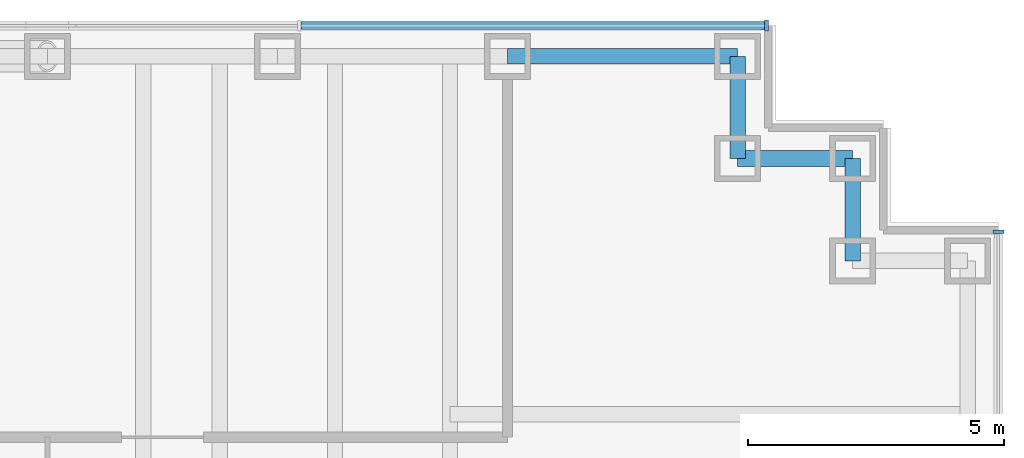
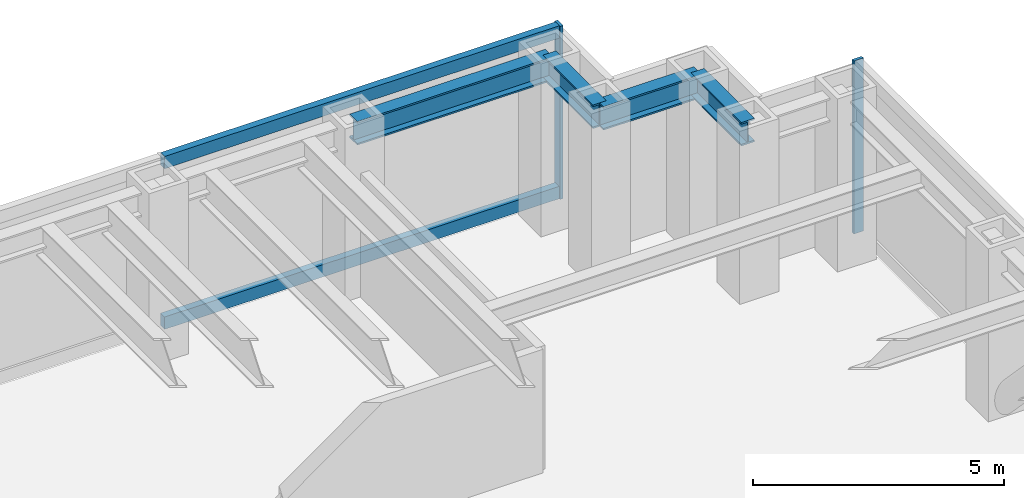
# One storey, part 9 of 15: 4 beams, 4 members, 2 elements without a shape of their own.
"""IFC4 building model written with IfcOpenShell, lengths in metres."""

import ifcopenshell
import ifcopenshell.guid

model = None  # the IFC model being written
_history = None  # IfcOwnerHistory: only IFC2X3 demands one
_inside = {}  # id of a spatial element -> (the spatial element, [elements in it])
_under = {}  # id of a project, library or spatial element -> (it, [spatial elements below it])
_declared = {}  # id of a project -> (the project, [libraries it declares])
_typed = {}  # id of a type object -> (the type object, [elements of that type])
_made_of = {}  # id of a material, layer set ... -> (it, [elements and type objects made of it])


def new_model(schema):
    """Start an empty IFC model of exactly this schema.

    Asked for "IFC4X3", IfcOpenShell would pick the latest addendum, in which some entities
    have other attributes; the version numbers below select the first issue.
    IFC2X3 requires an IfcOwnerHistory on every rooted entity: one is made here for all.
    """
    global model, _history
    if schema == "IFC4X3":
        model = ifcopenshell.file(schema_version=(4, 3, 0, 0))
    else:
        model = ifcopenshell.file(schema=schema)
    _inside.clear()
    _under.clear()
    _declared.clear()
    _typed.clear()
    _made_of.clear()
    _history = None
    if model.schema == "IFC2X3":
        org = make("IfcOrganization", Name="unknown")
        user = make(
            "IfcPersonAndOrganization",
            ThePerson=make("IfcPerson", FamilyName="unknown"),
            TheOrganization=org,
        )
        app = make(
            "IfcApplication",
            ApplicationDeveloper=org,
            Version="unknown",
            ApplicationFullName="unknown",
            ApplicationIdentifier="unknown",
        )
        _history = make(
            "IfcOwnerHistory",
            OwningUser=user,
            OwningApplication=app,
            ChangeAction="ADDED",
            CreationDate=0,
        )
    return model


def make(cls, **values):
    """One entity of the class cls with the attributes given. An attribute that is None is left unset."""
    return model.create_entity(
        cls, **{name: value for name, value in values.items() if value is not None}
    )


def rooted(cls, **values):
    """An entity with a GlobalId (a new one), such as an element, a storey or a relation."""
    return make(cls, GlobalId=ifcopenshell.guid.new(), OwnerHistory=_history, **values)


def si_unit(unit_type, name, prefix=None):
    """IfcSIUnit, for example si_unit("LENGTHUNIT", "METRE", prefix="MILLI")."""
    return make("IfcSIUnit", UnitType=unit_type, Prefix=prefix, Name=name)


def assignment(units):
    """IfcUnitAssignment: the units of a project."""
    return None if units is None else make("IfcUnitAssignment", Units=units)


def point(xyz):
    """IfcCartesianPoint."""
    return None if xyz is None else make("IfcCartesianPoint", Coordinates=xyz)


def direction(xyz):
    """IfcDirection."""
    return None if xyz is None else make("IfcDirection", DirectionRatios=xyz)


def frame(location, z_axis=None, x_axis=None):
    """IfcAxis2Placement3D, a coordinate frame: its origin and axes. An axis left out is left unset."""
    return make(
        "IfcAxis2Placement3D",
        Location=point(location),
        Axis=direction(z_axis),
        RefDirection=direction(x_axis),
    )


def frame_2d(location, x_axis=None):
    """IfcAxis2Placement2D, a coordinate frame in the plane: its origin and x axis."""
    return make(
        "IfcAxis2Placement2D", Location=point(location), RefDirection=direction(x_axis)
    )


def origin():
    """The frame at (0, 0, 0) with its axes left unset."""
    return frame((0.0, 0.0, 0.0))


def origin_2d():
    """The frame at (0, 0) in the plane with its x axis left unset."""
    return frame_2d((0.0, 0.0))


def place(relative_to, where):
    """IfcLocalPlacement: puts the frame where relative to a parent placement (None: the world)."""
    return make(
        "IfcLocalPlacement", PlacementRelTo=relative_to, RelativePlacement=where
    )


def context(
    kind, dimensions, precision=None, world=None, true_north=None, identifier=None
):
    """IfcGeometricRepresentationContext, for example the 3D "Model" context."""
    return make(
        "IfcGeometricRepresentationContext",
        ContextIdentifier=identifier,
        ContextType=kind,
        CoordinateSpaceDimension=dimensions,
        Precision=precision,
        WorldCoordinateSystem=world,
        TrueNorth=true_north,
    )


def subcontext(parent, identifier, kind, view, scale=None):
    """IfcGeometricRepresentationSubContext, for example "Body" below "Model"."""
    return make(
        "IfcGeometricRepresentationSubContext",
        ContextIdentifier=identifier,
        ContextType=kind,
        ParentContext=parent,
        TargetScale=scale,
        TargetView=view,
    )


def project(units=None, contexts=None):
    """IfcProject with its units and contexts."""
    return rooted(
        "IfcProject",
        Name="project",
        RepresentationContexts=contexts,
        UnitsInContext=assignment(units),
    )


def spatial(cls, under=None, at=None, **own):
    """A site, building, storey or space (cls), placed at a placement, below another one or the project."""
    s = rooted(cls, ObjectPlacement=at, **own)
    if under is not None:
        _under.setdefault(under.id(), (under, []))[1].append(s)
    return s


def profile(cls, at=None, kind="AREA", **sizes):
    """A parametric profile (cls). Its sizes go by their IFC names, for example OverallWidth=200.0."""
    return make(cls, ProfileType=kind, Position=at, **sizes)


def rectangle(**sizes):
    """IfcRectangleProfileDef."""
    return profile("IfcRectangleProfileDef", **sizes)


def i_section(**sizes):
    """IfcIShapeProfileDef."""
    return profile("IfcIShapeProfileDef", **sizes)


def extrude(swept, where, along, depth):
    """IfcExtrudedAreaSolid: the profile swept, set in the frame where, extruded along a direction by depth."""
    return make(
        "IfcExtrudedAreaSolid",
        SweptArea=swept,
        Position=where,
        ExtrudedDirection=direction(along),
        Depth=depth,
    )


def shape(context_of_items, identifier, shape_type, items):
    """IfcShapeRepresentation: the items that make up one representation, for example the "Body"."""
    return make(
        "IfcShapeRepresentation",
        ContextOfItems=context_of_items,
        RepresentationIdentifier=identifier,
        RepresentationType=shape_type,
        Items=items,
    )


def material(Name=None, Category=None):
    """IfcMaterial."""
    return make("IfcMaterial", Name=Name, Category=Category)


def material_profile(
    of_material, cross_section, Name=None, Category=None, Priority=None
):
    """IfcMaterialProfile: a cross section and its material."""
    return make(
        "IfcMaterialProfile",
        Name=Name,
        Material=of_material,
        Profile=cross_section,
        Priority=Priority,
        Category=Category,
    )


def profile_set(profiles, Name=None, composite=None):
    """IfcMaterialProfileSet."""
    return make(
        "IfcMaterialProfileSet",
        Name=Name,
        MaterialProfiles=profiles,
        CompositeProfile=composite,
    )


def made_of(thing, what):
    """Note that an element or type object is made of a material, layer set ...; save() writes the relation."""
    if what is not None:
        _made_of.setdefault(what.id(), (what, []))[1].append(thing)
    return thing


def type_object(cls, material=None, **own):
    """A type object (cls), such as IfcWallType, which elements share."""
    return made_of(rooted(cls, **own), material)


def element(
    cls,
    number,
    at=None,
    inside=None,
    cuts=None,
    type_object=None,
    material=None,
    context=None,
    identifier="Body",
    shape_type=None,
    held_by="IfcProductDefinitionShape",
    body=None,
    shapes=None,
    **own,
):
    """One element of the class cls, such as IfcWall. Its Tag is "e" and its number.

    at: its placement. inside: the storey or other place that contains it. cuts: it is an
    opening in that element (IfcRelVoidsElement). A single representation is given by context,
    identifier, shape_type and body (its items); several are given by shapes. held_by: the class
    of the entity that holds the representations. save() writes the other relations.
    """
    e = rooted(cls, Tag="e%d" % number, ObjectPlacement=at, **own)
    if body is not None:
        shapes = [shape(context, identifier, shape_type, body)]
    if shapes is not None:
        e.Representation = make(held_by, Representations=shapes)
    if inside is not None:
        _inside.setdefault(inside.id(), (inside, []))[1].append(e)
    if cuts is not None:
        rooted(
            "IfcRelVoidsElement", RelatingBuildingElement=cuts, RelatedOpeningElement=e
        )
    if type_object is not None:
        _typed.setdefault(type_object.id(), (type_object, []))[1].append(e)
    return made_of(e, material)


def aggregate(whole, parts):
    """IfcRelAggregates: a whole, such as a stair, and the parts it consists of."""
    return rooted("IfcRelAggregates", RelatingObject=whole, RelatedObjects=parts)


def save(model, path):
    """Write the relations noted so far, then the file.

    IfcRelAggregates (storeys below a building ...), IfcRelContainedInSpatialStructure (elements
    in a storey), IfcRelDefinesByType, IfcRelAssociatesMaterial and IfcRelDeclares: one each for
    every whole, place, type object, material and project.
    """
    for whole, parts in _under.values():
        aggregate(whole, parts)
    for where, things in _inside.values():
        rooted(
            "IfcRelContainedInSpatialStructure",
            RelatedElements=things,
            RelatingStructure=where,
        )
    for kind, things in _typed.values():
        rooted("IfcRelDefinesByType", RelatedObjects=things, RelatingType=kind)
    for what, things in _made_of.values():
        rooted("IfcRelAssociatesMaterial", RelatedObjects=things, RelatingMaterial=what)
    for by, libraries in _declared.values():
        rooted("IfcRelDeclares", RelatingContext=by, RelatedDefinitions=libraries)
    model.write(path)


model = new_model("IFC4")

# Units and contexts
model_context = context("Model", 3, precision=1e-05, world=origin(), true_north=direction((0.0, 1.0)))
body_context = subcontext(model_context, "Body", "Model", "MODEL_VIEW")
ifc_project = project(units=[si_unit("LENGTHUNIT", "METRE"), si_unit("AREAUNIT", "SQUARE_METRE"), si_unit("VOLUMEUNIT", "CUBIC_METRE"), si_unit("PLANEANGLEUNIT", "RADIAN"), si_unit("MASSUNIT", "GRAM", prefix="KILO")], contexts=[model_context])

# Site, building, storey
site_placement = place(None, origin())
site = spatial("IfcSite", under=ifc_project, at=site_placement, CompositionType="ELEMENT")
building_placement = place(site_placement, origin())
building = spatial("IfcBuilding", under=site, at=building_placement, Name="Rheinbord Bourse Tower", CompositionType="ELEMENT")
storey_placement = place(building_placement, frame((0.0, 0.0, 108.89990234375)))
storey = spatial("IfcBuildingStorey", under=building, at=storey_placement, Name="L23", CompositionType="ELEMENT", Elevation=108.89990234375)

# Curtain wall, member
ifc_material_1 = material(Name="Dark glass and black aluminium", Category="aluminium")
curtain_wall_type = type_object("IfcCurtainWallType", Name="CW2 DARK GLASS CURTAIN WALL", PredefinedType="USERDEFINED", material=ifc_material_1)
curtain_wall_1_placement = place(storey_placement, origin())
curtain_wall_1 = element("IfcCurtainWall", 1, at=curtain_wall_1_placement, inside=storey, type_object=curtain_wall_type, Name="Curtain wall CW2 E L23", ObjectType="UNITISED CURTAIN WALL", PredefinedType="USERDEFINED")
ifc_material_2 = material(Name="Black anodised aluminium", Category="aluminium")
ifc_material_profile_1 = material_profile(ifc_material_2, rectangle(XDim=0.219970703125, YDim=0.070068359375, at=origin_2d()), Name="CW2 MULLION 70x220")
ifc_profile_set_1 = profile_set([ifc_material_profile_1], Name="Black anodised aluminium")
member_type_1 = type_object("IfcMemberType", Name="CW2 BLACK MULLION", PredefinedType="MULLION", material=ifc_profile_set_1)
member_1_placement = place(storey_placement, frame((72.60009765625, 42.56494140625, 0.0), z_axis=(0.0, 0.0, 1.0), x_axis=(-1.0, 0.0, 0.0)))
member_1 = element("IfcMember", 2, at=member_1_placement, type_object=member_type_1, Name="CW2 mullion 6", PredefinedType="MULLION", context=body_context, shape_type="SweptSolid", body=[
    extrude(rectangle(XDim=0.219970703125, YDim=0.070068359375, at=origin_2d()), origin(), (0.0, 0.0, 1.0), 4.2001953125),
])
aggregate(curtain_wall_1, [member_1])

# Curtain wall, members
curtain_wall_2_placement = place(storey_placement, origin())
curtain_wall_2 = element("IfcCurtainWall", 3, at=curtain_wall_2_placement, inside=storey, type_object=curtain_wall_type, Name="Curtain wall CW2 N L23", ObjectType="UNITISED CURTAIN WALL", PredefinedType="USERDEFINED")
member_2_placement = place(storey_placement, frame((68.06494140625, 46.60009765625, 0.0), z_axis=(0.0, 0.0, 1.0), x_axis=(0.0, -1.0, 0.0)))
member_2 = element("IfcMember", 4, at=member_2_placement, type_object=member_type_1, Name="CW2 mullion 1", PredefinedType="MULLION", context=body_context, shape_type="SweptSolid", body=[
    extrude(rectangle(XDim=0.219970703125, YDim=0.070068359375, at=origin_2d()), origin(), (0.0, 0.0, 1.0), 4.2001953125),
])
ifc_material_3 = material(Name="Black anodised aluminium", Category="aluminium")
ifc_material_profile_2 = material_profile(ifc_material_3, rectangle(XDim=0.159912109375, YDim=0.300048828125, at=origin_2d()), Name="CW2 TRANSOM 300x160")
ifc_profile_set_2 = profile_set([ifc_material_profile_2], Name="Black anodised aluminium")
member_type_2 = type_object("IfcMemberType", Name="CW2 BLACK TRANSOM", PredefinedType="USERDEFINED", material=ifc_profile_set_2)
member_3_placement = place(storey_placement, frame((68.030029296875, 46.60009765625, 0.150146484375), z_axis=(-1.0, 0.0, 0.0), x_axis=(0.0, -1.0, 0.0)))
member_3 = element("IfcMember", 5, at=member_3_placement, type_object=member_type_2, Name="CW2 transom 1.1", ObjectType="TRANSOM", PredefinedType="USERDEFINED", context=body_context, shape_type="SweptSolid", body=[
    extrude(rectangle(XDim=0.159912109375, YDim=0.300048828125, at=origin_2d()), origin(), (0.0, 0.0, 1.0), 9.06640625),
])
member_4_placement = place(storey_placement, frame((68.030029296875, 46.60009765625, 4.050048828125), z_axis=(-1.0, 0.0, 0.0), x_axis=(0.0, -1.0, 0.0)))
member_4 = element("IfcMember", 6, at=member_4_placement, type_object=member_type_2, Name="CW2 transom 1.2", ObjectType="TRANSOM", PredefinedType="USERDEFINED", context=body_context, shape_type="SweptSolid", body=[
    extrude(rectangle(XDim=0.159912109375, YDim=0.300048828125, at=origin_2d()), origin(), (0.0, 0.0, 1.0), 9.06640625),
])
aggregate(curtain_wall_2, [member_2, member_3, member_4])

# Beams
ifc_material_4 = material(Name="Steel S460", Category="steel")
ifc_material_profile_3 = material_profile(ifc_material_4, i_section(OverallWidth=0.305908203125, OverallDepth=0.572021484375, WebThickness=0.02099609375, FlangeThickness=0.0400390625, at=origin_2d()), Name="HEM 550")
ifc_profile_set_3 = profile_set([ifc_material_profile_3], Name="Steel S460")
beam_type = type_object("IfcBeamType", Name="SPANDREL HEM 550", PredefinedType="SPANDREL", material=ifc_profile_set_3)
beam_1_placement = place(storey_placement, frame((69.75, 42.0, 3.754150390625), z_axis=(0.0, 1.0, 0.0), x_axis=(-1.0, 0.0, 0.0)))
element("IfcBeam", 7, at=beam_1_placement, inside=storey, type_object=beam_type, Name="Spandrel NE-B-NE-C under L24", PredefinedType="SPANDREL", context=body_context, shape_type="SweptSolid", body=[
    extrude(i_section(OverallWidth=0.305908203125, OverallDepth=0.572021484375, WebThickness=0.02099609375, FlangeThickness=0.0400390625, at=origin_2d()), origin(), (0.0, 0.0, 1.0), 2.0),
])
beam_2_placement = place(storey_placement, frame((69.75, 44.0, 3.754150390625), z_axis=(-1.0, 0.0, 0.0), x_axis=(0.0, -1.0, 0.0)))
element("IfcBeam", 8, at=beam_2_placement, inside=storey, type_object=beam_type, Name="Spandrel NE-C-NE-D under L24", PredefinedType="SPANDREL", context=body_context, shape_type="SweptSolid", body=[
    extrude(i_section(OverallWidth=0.305908203125, OverallDepth=0.572021484375, WebThickness=0.02099609375, FlangeThickness=0.0400390625, at=origin_2d()), origin(), (0.0, 0.0, 1.0), 2.25),
])
beam_3_placement = place(storey_placement, frame((67.5, 44.0, 3.754150390625), z_axis=(0.0, 1.0, 0.0), x_axis=(-1.0, 0.0, 0.0)))
element("IfcBeam", 9, at=beam_3_placement, inside=storey, type_object=beam_type, Name="Spandrel NE-D-NE-E under L24", PredefinedType="SPANDREL", context=body_context, shape_type="SweptSolid", body=[
    extrude(i_section(OverallWidth=0.305908203125, OverallDepth=0.572021484375, WebThickness=0.02099609375, FlangeThickness=0.0400390625, at=origin_2d()), origin(), (0.0, 0.0, 1.0), 2.0),
])
beam_4_placement = place(storey_placement, frame((67.5, 46.0, 3.754150390625), z_axis=(-1.0, 0.0, 0.0), x_axis=(0.0, -1.0, 0.0)))
element("IfcBeam", 10, at=beam_4_placement, inside=storey, type_object=beam_type, Name="Spandrel NE-E-N-63 under L24", PredefinedType="SPANDREL", context=body_context, shape_type="SweptSolid", body=[
    extrude(i_section(OverallWidth=0.305908203125, OverallDepth=0.572021484375, WebThickness=0.02099609375, FlangeThickness=0.0400390625, at=origin_2d()), origin(), (0.0, 0.0, 1.0), 4.5),
])

save(model, "model.ifc")
